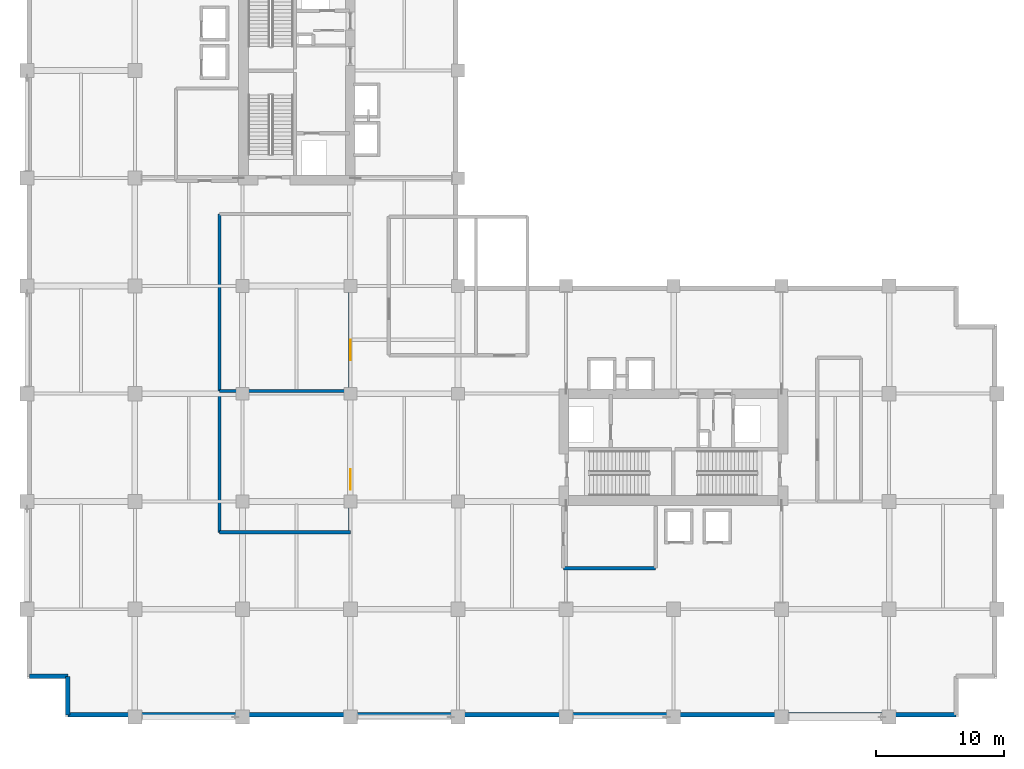
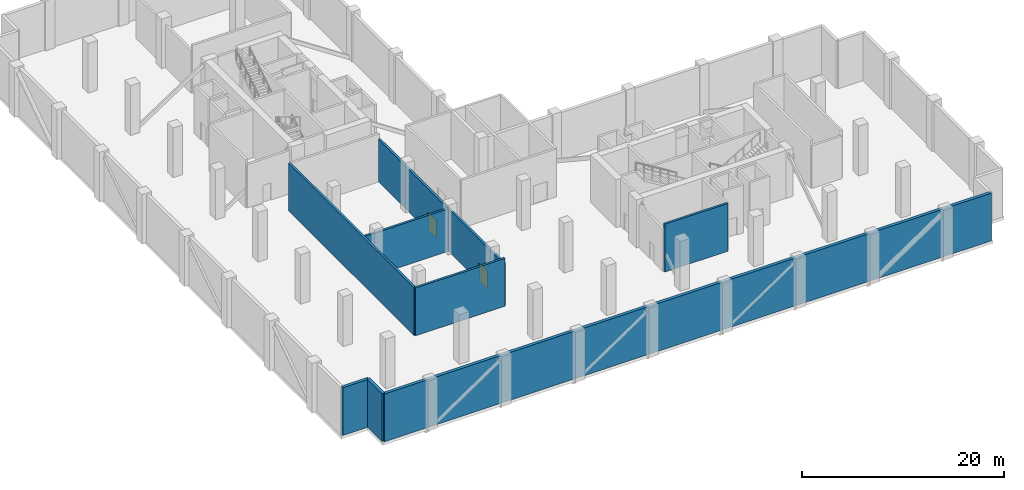
# One storey, part 11 of 16: 8 walls, 2 doors, 2 openings.
"""IFC4 building model written with IfcOpenShell, lengths in metres."""

from ifc_helpers import new_model, si_unit, direction, frame, frame_2d, origin, place, context, subcontext, project, spatial, rectangle, extrude, material, layer, layer_set, type_object, element, fill, save


model = new_model("IFC4")

# Units and contexts
model_context = context("Model", 3, precision=1e-05, world=origin(), true_north=direction((0.0, 1.0)))
body_context = subcontext(model_context, "Body", "Model", "MODEL_VIEW")
ifc_project = project(units=[si_unit("LENGTHUNIT", "METRE"), si_unit("AREAUNIT", "SQUARE_METRE"), si_unit("VOLUMEUNIT", "CUBIC_METRE"), si_unit("PLANEANGLEUNIT", "RADIAN"), si_unit("MASSUNIT", "GRAM", prefix="KILO")], contexts=[model_context])

# Site, building, storey
site_placement = place(None, origin())
site = spatial("IfcSite", under=ifc_project, at=site_placement, CompositionType="ELEMENT")
building_placement = place(site_placement, origin())
building = spatial("IfcBuilding", under=site, at=building_placement, Name="Koriwani Terraces Tower", CompositionType="ELEMENT")
storey_placement = place(building_placement, frame((0.0, 0.0, 162.0)))
storey = spatial("IfcBuildingStorey", under=building, at=storey_placement, Name="L39", CompositionType="ELEMENT", Elevation=162.0)

# Walls
ifc_material_1 = material(Name="Concrete C50/60", Category="concrete")
ifc_layer_1 = layer(ifc_material_1, 0.35009765625, Name="Concrete C50/60")
ifc_layer_set_1 = layer_set([ifc_layer_1], Name="Concrete C50/60")
wall_type_1 = type_object("IfcWallType", Name="WALL_EXT_BRUTALIST_350", PredefinedType="STANDARD", material=ifc_layer_set_1)
for number, where, z_axis, x_axis, name in (
    (1, (3.175048828125, 0.175048828125, 0.0), (0.0, 0.0, 1.0), (0.0, 1.0, 0.0), "L39 Fair-Faced Brutalist Exterior Wall (N0)"),
    (2, (3.175048828125, 3.175048828125, 0.0), (0.0, 0.0, 1.0), (-1.0, 0.0, 0.0), "L39 Fair-Faced Brutalist Exterior Wall (N1)"),
):
    element("IfcWall", number, at=place(storey_placement, frame(where, z_axis=z_axis, x_axis=x_axis)), inside=storey, type_object=wall_type_1, Name=name, PredefinedType="STANDARD", context=body_context, shape_type="SweptSolid", body=[
        extrude(rectangle(XDim=3.0, YDim=0.35009765625, at=frame_2d((1.5, 0.0))), origin(), (0.0, 0.0, 1.0), 5.77001953125),
    ])
wall_1_placement = place(storey_placement, frame((72.425048828125, 0.175048828125, 0.0), z_axis=(0.0, 0.0, 1.0), x_axis=(-1.0, 0.0, 0.0)))
element("IfcWall", 3, at=wall_1_placement, inside=storey, type_object=wall_type_1, Name="L39 Fair-Faced Brutalist Exterior Wall (S)", PredefinedType="STANDARD", context=body_context, shape_type="SweptSolid", body=[
    extrude(rectangle(XDim=69.25, YDim=0.35009765625, at=frame_2d((34.625, 0.0))), origin(), (0.0, 0.0, 1.0), 5.77001953125),
])

# Wall, openings, doors
ifc_material_2 = material(Name="Concrete C40/50", Category="concrete")
ifc_layer_2 = layer(ifc_material_2, 0.25, Name="Concrete C40/50")
ifc_layer_set_2 = layer_set([ifc_layer_2], Name="Concrete C40/50")
wall_type_2 = type_object("IfcWallType", Name="WALL_SHAFT_RATED_250", PredefinedType="SOLIDWALL", material=ifc_layer_set_2)
wall_2_placement = place(storey_placement, frame((25.199951171875, 14.39990234375, 0.0), z_axis=(0.0, 0.0, 1.0), x_axis=(0.0, 1.0, 0.0)))
wall_2 = element("IfcWall", 4, at=wall_2_placement, inside=storey, type_object=wall_type_2, Name="L39 Interior Wall WPL-L39-E", PredefinedType="SOLIDWALL", context=body_context, shape_type="SweptSolid", body=[
    extrude(rectangle(XDim=24.800048828125, YDim=0.25, at=frame_2d((12.39990234375, 0.0))), origin(), (0.0, 0.0, 1.0), 5.1201171875),
])
opening_1_placement = place(wall_2_placement, frame((3.300048828125, 0.0, 0.0)))
opening_1 = element("IfcOpeningElement", 5, at=opening_1_placement, cuts=wall_2, Name="Opening D-08", PredefinedType="OPENING", context=body_context, shape_type="SweptSolid", body=[
    extrude(rectangle(XDim=1.60009765625, YDim=2.199951171875, at=frame_2d((0.800048828125, 1.10009765625))), frame((0.0, 0.135009765625, 0.0), z_axis=(0.0, -1.0, 0.0), x_axis=(1.0, 0.0, 0.0)), (0.0, 0.0, 1.0), 0.27001953125),
])
opening_2_placement = place(wall_2_placement, frame((13.39990234375, 0.0, 0.0)))
opening_2 = element("IfcOpeningElement", 6, at=opening_2_placement, cuts=wall_2, Name="Opening D-08", PredefinedType="OPENING", context=body_context, shape_type="SweptSolid", body=[
    extrude(rectangle(XDim=1.60009765625, YDim=2.199951171875, at=frame_2d((0.800048828125, 1.10009765625))), frame((0.0, 0.135009765625, 0.0), z_axis=(0.0, -1.0, 0.0), x_axis=(1.0, 0.0, 0.0)), (0.0, 0.0, 1.0), 0.27001953125),
])
ifc_material_3 = material(Name="Steel ASTM A572 Grade 50", Category="steel")
door_type = type_object("IfcDoorType", Name="DOOR_PLANT_DOUBLE_1600X2200", OperationType="NOTDEFINED", PredefinedType="DOOR", material=ifc_material_3)
door_1_placement = place(opening_1_placement, origin())
door_1 = element("IfcDoor", 7, at=door_1_placement, inside=storey, type_object=door_type, Name="L39 Chiller Plant Room Door", OperationType="SINGLE_SWING_LEFT", OverallHeight=2.199951171875, OverallWidth=1.60009765625, PredefinedType="DOOR", context=body_context, shape_type="SweptSolid", body=[
    extrude(rectangle(XDim=1.60009765625, YDim=2.199951171875, at=frame_2d((0.800048828125, 1.10009765625))), frame((0.0, 0.02490234375, 0.0), z_axis=(0.0, -1.0, 0.0), x_axis=(1.0, 0.0, 0.0)), (0.0, 0.0, 1.0), 0.050048828125),
])
fill(opening_1, door_1)
door_2_placement = place(opening_2_placement, origin())
door_2 = element("IfcDoor", 8, at=door_2_placement, inside=storey, type_object=door_type, Name="L39 AHU Fan Room Door", OperationType="SINGLE_SWING_RIGHT", OverallHeight=2.199951171875, OverallWidth=1.60009765625, PredefinedType="DOOR", context=body_context, shape_type="SweptSolid", body=[
    extrude(rectangle(XDim=1.60009765625, YDim=2.199951171875, at=frame_2d((0.800048828125, 1.10009765625))), frame((0.0, 0.02490234375, 0.0), z_axis=(0.0, -1.0, 0.0), x_axis=(1.0, 0.0, 0.0)), (0.0, 0.0, 1.0), 0.050048828125),
])
fill(opening_2, door_2)

# Walls
wall_3_placement = place(storey_placement, frame((15.0, 14.39990234375, 0.0), z_axis=(0.0, 0.0, 1.0), x_axis=(0.0, 1.0, 0.0)))
element("IfcWall", 9, at=wall_3_placement, inside=storey, type_object=wall_type_2, Name="L39 Interior Wall WPL-L39-W", PredefinedType="SOLIDWALL", context=body_context, shape_type="SweptSolid", body=[
    extrude(rectangle(XDim=24.800048828125, YDim=0.25, at=frame_2d((12.39990234375, 0.0))), origin(), (0.0, 0.0, 1.0), 5.77001953125),
])
wall_4_placement = place(storey_placement, frame((15.0, 14.39990234375, 0.0), z_axis=(0.0, 0.0, 1.0), x_axis=(1.0, 0.0, 0.0)))
element("IfcWall", 10, at=wall_4_placement, inside=storey, type_object=wall_type_2, Name="L39 Interior Wall WPL-L39-S", PredefinedType="SOLIDWALL", context=body_context, shape_type="SweptSolid", body=[
    extrude(rectangle(XDim=10.199951171875, YDim=0.25, at=frame_2d((5.10009765625, 0.0))), origin(), (0.0, 0.0, 1.0), 5.77001953125),
])
wall_5_placement = place(storey_placement, frame((15.0, 25.39990234375, 0.0), z_axis=(0.0, 0.0, 1.0), x_axis=(1.0, 0.0, 0.0)))
element("IfcWall", 11, at=wall_5_placement, inside=storey, type_object=wall_type_2, Name="L39 Interior Wall WPL-L39-M", PredefinedType="SOLIDWALL", context=body_context, shape_type="SweptSolid", body=[
    extrude(rectangle(XDim=10.199951171875, YDim=0.25, at=frame_2d((5.10009765625, 0.0))), origin(), (0.0, 0.0, 1.0), 5.1201171875),
])
wall_6_placement = place(storey_placement, frame((41.800048828125, 11.60009765625, 0.0), z_axis=(0.0, 0.0, 1.0), x_axis=(1.0, 0.0, 0.0)))
element("IfcWall", 12, at=wall_6_placement, inside=storey, type_object=wall_type_2, Name="L39 Interior Wall WPL-RECE2-L39", PredefinedType="SOLIDWALL", context=body_context, shape_type="SweptSolid", body=[
    extrude(rectangle(XDim=7.199951171875, YDim=0.25, at=frame_2d((3.60009765625, 0.0))), origin(), (0.0, 0.0, 1.0), 5.77001953125),
])

save(model, "model.ifc")
